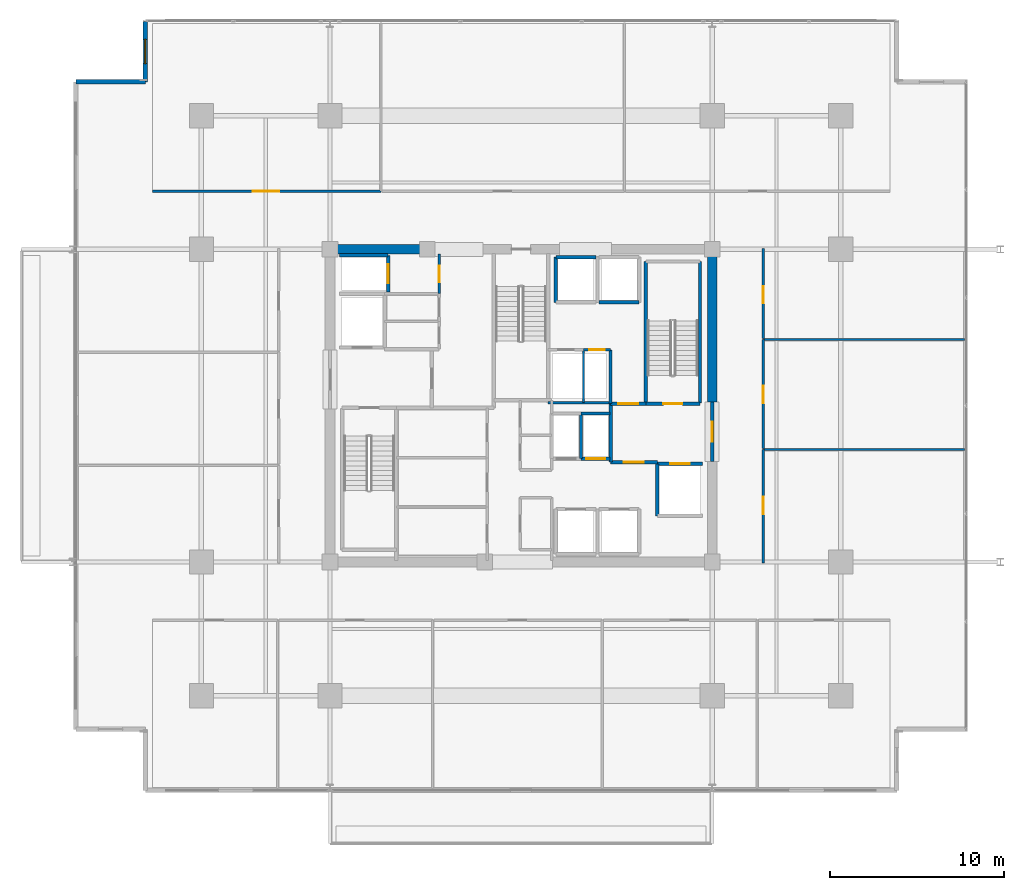
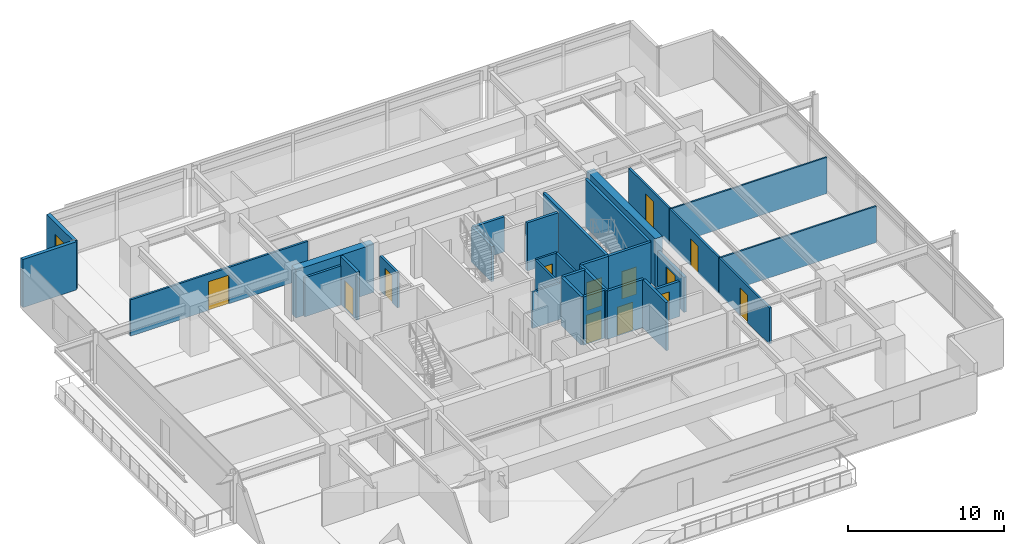
# One storey, part 17 of 23: 32 walls, 13 doors, 1 window, 14 openings.
"""IFC4 building model written with IfcOpenShell, lengths in metres."""

from ifc_helpers import new_model, si_unit, direction, frame, frame_2d, origin, place, context, subcontext, project, spatial, rectangle, extrude, material, layer, layer_set, type_object, element, fill, save


model = new_model("IFC4")

# Units and contexts
model_context = context("Model", 3, precision=1e-05, world=origin(), true_north=direction((0.0, 1.0)))
body_context = subcontext(model_context, "Body", "Model", "MODEL_VIEW")
ifc_project = project(units=[si_unit("LENGTHUNIT", "METRE"), si_unit("AREAUNIT", "SQUARE_METRE"), si_unit("VOLUMEUNIT", "CUBIC_METRE"), si_unit("PLANEANGLEUNIT", "RADIAN"), si_unit("MASSUNIT", "GRAM", prefix="KILO")], contexts=[model_context])

# Site, building, storey
site_placement = place(None, origin())
site = spatial("IfcSite", under=ifc_project, at=site_placement, CompositionType="ELEMENT")
building_placement = place(site_placement, origin())
building = spatial("IfcBuilding", under=site, at=building_placement, Name="Kovane Verandah Tower", CompositionType="ELEMENT")
storey_placement = place(building_placement, frame((0.0, 0.0, 221.199951171875)))
storey = spatial("IfcBuildingStorey", under=building, at=storey_placement, Name="L51", CompositionType="ELEMENT", Elevation=221.199951171875)

# Wall, opening, door
ifc_material_1 = material(Name="Fire-Rated Gypsum Stud Partition", Category="gypsum")
ifc_layer_1 = layer(ifc_material_1, 0.14990234375)
ifc_layer_set_1 = layer_set([ifc_layer_1], Name="Fire-Rated Gypsum Stud Partition")
wall_type_1 = type_object("IfcWallType", Name="WL-COR-150", PredefinedType="PARTITIONING", material=ifc_layer_set_1)
wall_1_placement = place(storey_placement, frame((35.280029296875, 33.949951171875, 0.0), z_axis=(0.0, 0.0, 1.0), x_axis=(0.0, 1.0, 0.0)))
wall_1 = element("IfcWall", 1, at=wall_1_placement, inside=storey, type_object=wall_type_1, Name="L51 Goods Lift Lobby East Fire Partition", PredefinedType="PARTITIONING", context=body_context, shape_type="SweptSolid", body=[
    extrude(rectangle(XDim=2.27001953125, YDim=0.14990234375, at=frame_2d((1.135009765625, 0.0))), origin(), (0.0, 0.0, 1.0), 2.755126953125),
])
opening_1_placement = place(wall_1_placement, frame((0.659912109375, 0.0, 0.0)))
opening_1 = element("IfcOpeningElement", 2, at=opening_1_placement, cuts=wall_1, Name="Opening DR-L51-008", PredefinedType="OPENING", context=body_context, shape_type="SweptSolid", body=[
    extrude(rectangle(XDim=0.949951171875, YDim=2.14990234375, at=frame_2d((0.47509765625, 1.074951171875))), frame((0.0, 0.074951171875, 0.0), z_axis=(0.0, -1.0, 0.0), x_axis=(1.0, 0.0, 0.0)), (0.0, 0.0, 1.0), 0.14990234375),
])
ifc_material_2 = material(Name="Fire-Rated Steel Refuge and Lobby Door", Category="steel")
door_type_1 = type_object("IfcDoorType", Name="DR-FIRE-950", OperationType="SINGLE_SWING_LEFT", PredefinedType="DOOR", material=ifc_material_2)
door_1_placement = place(opening_1_placement, origin())
door_1 = element("IfcDoor", 3, at=door_1_placement, inside=storey, type_object=door_type_1, Name="L51 Goods Lift Lobby Fire Door", OperationType="SINGLE_SWING_LEFT", OverallHeight=2.14990234375, OverallWidth=0.949951171875, PredefinedType="DOOR", context=body_context, shape_type="SweptSolid", body=[
    extrude(rectangle(XDim=0.949951171875, YDim=2.14990234375, at=frame_2d((0.47509765625, 1.074951171875))), frame((0.0, 0.02490234375, 0.0), z_axis=(0.0, -1.0, 0.0), x_axis=(1.0, 0.0, 0.0)), (0.0, 0.0, 1.0), 0.050048828125),
])
fill(opening_1, door_1)

# Walls
wall_2_placement = place(storey_placement, frame((41.56005859375, 27.679931640625, 0.0), z_axis=(0.0, 0.0, 1.0), x_axis=(1.0, 0.0, 0.0)))
element("IfcWall", 4, at=wall_2_placement, inside=storey, type_object=wall_type_1, Name="L51 East Core Service Riser South Wall", PredefinedType="PARTITIONING", context=body_context, shape_type="SweptSolid", body=[
    extrude(rectangle(XDim=3.58984375, YDim=0.14990234375, at=frame_2d((1.794921875, 0.0))), origin(), (0.0, 0.0, 1.0), 2.85009765625),
])
wall_3_placement = place(storey_placement, frame((45.14990234375, 27.6201171875, 0.0), z_axis=(0.0, 0.0, 1.0), x_axis=(0.0, 1.0, 0.0)))
element("IfcWall", 5, at=wall_3_placement, inside=storey, type_object=wall_type_1, Name="L51 East Core Service Riser East Wall", PredefinedType="PARTITIONING", context=body_context, shape_type="SweptSolid", body=[
    extrude(rectangle(XDim=3.099853515625, YDim=0.14990234375, at=frame_2d((1.5498046875, 0.0))), origin(), (0.0, 0.0, 1.0), 2.85009765625),
])

# Wall, opening, door
wall_4_placement = place(storey_placement, frame((43.60009765625, 30.719970703125, 0.0), z_axis=(0.0, 0.0, 1.0), x_axis=(1.0, 0.0, 0.0)))
wall_4 = element("IfcWall", 6, at=wall_4_placement, inside=storey, type_object=wall_type_1, Name="L51 Sprinkler Wet Riser Room Partition", PredefinedType="PARTITIONING", context=body_context, shape_type="SweptSolid", body=[
    extrude(rectangle(XDim=1.5498046875, YDim=0.14990234375, at=frame_2d((0.77490234375, 0.0))), origin(), (0.0, 0.0, 1.0), 2.85009765625),
])
opening_2_placement = place(wall_4_placement, frame((0.3349609375, 0.0, 0.0)))
opening_2 = element("IfcOpeningElement", 7, at=opening_2_placement, cuts=wall_4, Name="Opening DR-L51-020", PredefinedType="OPENING", context=body_context, shape_type="SweptSolid", body=[
    extrude(rectangle(XDim=0.8798828125, YDim=2.10009765625, at=frame_2d((0.43994140625, 1.050048828125))), frame((0.0, 0.074951171875, 0.0), z_axis=(0.0, -1.0, 0.0), x_axis=(1.0, 0.0, 0.0)), (0.0, 0.0, 1.0), 0.14990234375),
])
ifc_material_3 = material(Name="Fire-Rated Steel Riser Access Door", Category="steel")
door_type_2 = type_object("IfcDoorType", Name="DR-RISER-880", OperationType="SINGLE_SWING_LEFT", PredefinedType="DOOR", material=ifc_material_3)
door_2_placement = place(opening_2_placement, origin())
door_2 = element("IfcDoor", 8, at=door_2_placement, inside=storey, type_object=door_type_2, Name="L51 Sprinkler Wet Riser Room Door", OperationType="SINGLE_SWING_RIGHT", OverallHeight=2.10009765625, OverallWidth=0.8798828125, PredefinedType="DOOR", context=body_context, shape_type="SweptSolid", body=[
    extrude(rectangle(XDim=0.8798828125, YDim=2.10009765625, at=frame_2d((0.43994140625, 1.050048828125))), frame((0.0, 0.02490234375, 0.0), z_axis=(0.0, -1.0, 0.0), x_axis=(1.0, 0.0, 0.0)), (0.0, 0.0, 1.0), 0.050048828125),
])
fill(opening_2, door_2)

wall_5_placement = place(storey_placement, frame((18.768798828125, 39.85009765625, 0.0), z_axis=(0.0, 0.0, 1.0), x_axis=(1.0, 0.0, 0.0)))
wall_5 = element("IfcWall", 9, at=wall_5_placement, inside=storey, type_object=wall_type_1, Name="L51 Client Boardroom N1 Corridor Partition", PredefinedType="PARTITIONING", context=body_context, shape_type="SweptSolid", body=[
    extrude(rectangle(XDim=13.163330078125, YDim=0.14990234375, at=frame_2d((6.58154296875, 0.0))), origin(), (0.0, 0.0, 1.0), 2.85009765625),
])
opening_3_placement = place(wall_5_placement, frame((5.796630859375, 0.0, 0.0)))
opening_3 = element("IfcOpeningElement", 10, at=opening_3_placement, cuts=wall_5, Name="Opening DR-L51-021", PredefinedType="OPENING", context=body_context, shape_type="SweptSolid", body=[
    extrude(rectangle(XDim=1.5, YDim=2.25, at=frame_2d((0.75, 1.125))), frame((0.0, 0.074951171875, 0.0), z_axis=(0.0, -1.0, 0.0), x_axis=(1.0, 0.0, 0.0)), (0.0, 0.0, 1.0), 0.14990234375),
])
ifc_material_4 = material(Name="Glazed Timber Fire-Rated Double Door", Category="wood")
door_type_3 = type_object("IfcDoorType", Name="DR-CONF-1500", OperationType="DOUBLE_DOOR_SINGLE_SWING", PredefinedType="DOOR", material=ifc_material_4)
door_3_placement = place(opening_3_placement, origin())
door_3 = element("IfcDoor", 11, at=door_3_placement, inside=storey, type_object=door_type_3, Name="L51 Client Boardroom N1 Entrance Door", OperationType="DOUBLE_DOOR_SINGLE_SWING", OverallHeight=2.25, OverallWidth=1.5, PredefinedType="DOOR", context=body_context, shape_type="SweptSolid", body=[
    extrude(rectangle(XDim=1.5, YDim=2.25, at=frame_2d((0.75, 1.125))), frame((0.0, 0.02490234375, 0.0), z_axis=(0.0, -1.0, 0.0), x_axis=(1.0, 0.0, 0.0)), (0.0, 0.0, 1.0), 0.050048828125),
])
fill(opening_3, door_3)

wall_6_placement = place(storey_placement, frame((53.949951171875, 18.449951171875, 0.0), z_axis=(0.0, 0.0, 1.0), x_axis=(0.0, 1.0, 0.0)))
wall_6 = element("IfcWall", 12, at=wall_6_placement, inside=storey, type_object=wall_type_1, Name="L51 Breakout Pantry E1 Corridor Partition", PredefinedType="PARTITIONING", context=body_context, shape_type="SweptSolid", body=[
    extrude(rectangle(XDim=6.51611328125, YDim=0.14990234375, at=frame_2d((3.258056640625, 0.0))), origin(), (0.0, 0.0, 1.0), 2.85009765625),
])
opening_4_placement = place(wall_6_placement, frame((2.798095703125, 0.0, 0.0)))
opening_4 = element("IfcOpeningElement", 13, at=opening_4_placement, cuts=wall_6, Name="Opening DR-L51-013", PredefinedType="OPENING", context=body_context, shape_type="SweptSolid", body=[
    extrude(rectangle(XDim=1.0, YDim=2.14990234375, at=frame_2d((0.5, 1.074951171875))), frame((0.0, 0.074951171875, 0.0), z_axis=(0.0, -1.0, 0.0), x_axis=(1.0, 0.0, 0.0)), (0.0, 0.0, 1.0), 0.14990234375),
])
ifc_material_5 = material(Name="FSC Spotted-Gum Timber Fire-Rated Office Door", Category="wood")
door_type_4 = type_object("IfcDoorType", Name="DR-OFF-1000", OperationType="SINGLE_SWING_LEFT", PredefinedType="DOOR", material=ifc_material_5)
door_4_placement = place(opening_4_placement, origin())
door_4 = element("IfcDoor", 14, at=door_4_placement, inside=storey, type_object=door_type_4, Name="L51 Breakout Pantry E1 Entrance Door", OperationType="SINGLE_SWING_RIGHT", OverallHeight=2.14990234375, OverallWidth=1.0, PredefinedType="DOOR", context=body_context, shape_type="SweptSolid", body=[
    extrude(rectangle(XDim=1.0, YDim=2.14990234375, at=frame_2d((0.5, 1.074951171875))), frame((0.0, 0.02490234375, 0.0), z_axis=(0.0, -1.0, 0.0), x_axis=(1.0, 0.0, 0.0)), (0.0, 0.0, 1.0), 0.050048828125),
])
fill(opening_4, door_4)

wall_7_placement = place(storey_placement, frame((53.949951171875, 25.035888671875, 0.0), z_axis=(0.0, 0.0, 1.0), x_axis=(0.0, 1.0, 0.0)))
wall_7 = element("IfcWall", 15, at=wall_7_placement, inside=storey, type_object=wall_type_1, Name="L51 Collaboration Hub E2 Corridor Partition", PredefinedType="PARTITIONING", context=body_context, shape_type="SweptSolid", body=[
    extrude(rectangle(XDim=6.26513671875, YDim=0.14990234375, at=frame_2d((3.132568359375, 0.0))), origin(), (0.0, 0.0, 1.0), 2.85009765625),
])
opening_5_placement = place(wall_7_placement, frame((2.597412109375, 0.0, 0.0)))
opening_5 = element("IfcOpeningElement", 16, at=opening_5_placement, cuts=wall_7, Name="Opening DR-L51-014", PredefinedType="OPENING", context=body_context, shape_type="SweptSolid", body=[
    extrude(rectangle(XDim=1.0, YDim=2.14990234375, at=frame_2d((0.5, 1.074951171875))), frame((0.0, 0.074951171875, 0.0), z_axis=(0.0, -1.0, 0.0), x_axis=(1.0, 0.0, 0.0)), (0.0, 0.0, 1.0), 0.14990234375),
])
door_5_placement = place(opening_5_placement, origin())
door_5 = element("IfcDoor", 17, at=door_5_placement, inside=storey, type_object=door_type_4, Name="L51 Collaboration Hub E2 Entrance Door", OperationType="SINGLE_SWING_LEFT", OverallHeight=2.14990234375, OverallWidth=1.0, PredefinedType="DOOR", context=body_context, shape_type="SweptSolid", body=[
    extrude(rectangle(XDim=1.0, YDim=2.14990234375, at=frame_2d((0.5, 1.074951171875))), frame((0.0, 0.02490234375, 0.0), z_axis=(0.0, -1.0, 0.0), x_axis=(1.0, 0.0, 0.0)), (0.0, 0.0, 1.0), 0.050048828125),
])
fill(opening_5, door_5)

wall_8_placement = place(storey_placement, frame((53.949951171875, 31.37109375, 0.0), z_axis=(0.0, 0.0, 1.0), x_axis=(0.0, 1.0, 0.0)))
wall_8 = element("IfcWall", 18, at=wall_8_placement, inside=storey, type_object=wall_type_1, Name="L51 Document and Print Room E3 Corridor Partition", PredefinedType="PARTITIONING", context=body_context, shape_type="SweptSolid", body=[
    extrude(rectangle(XDim=5.178955078125, YDim=0.14990234375, at=frame_2d((2.58935546875, 0.0))), origin(), (0.0, 0.0, 1.0), 2.85009765625),
])
opening_6_placement = place(wall_8_placement, frame((2.014404296875, 0.0, 0.0)))
opening_6 = element("IfcOpeningElement", 19, at=opening_6_placement, cuts=wall_8, Name="Opening DR-L51-015", PredefinedType="OPENING", context=body_context, shape_type="SweptSolid", body=[
    extrude(rectangle(XDim=1.0, YDim=2.14990234375, at=frame_2d((0.5, 1.074951171875))), frame((0.0, 0.074951171875, 0.0), z_axis=(0.0, -1.0, 0.0), x_axis=(1.0, 0.0, 0.0)), (0.0, 0.0, 1.0), 0.14990234375),
])
door_6_placement = place(opening_6_placement, origin())
door_6 = element("IfcDoor", 20, at=door_6_placement, inside=storey, type_object=door_type_4, Name="L51 Document and Print Room E3 Entrance Door", OperationType="SINGLE_SWING_RIGHT", OverallHeight=2.14990234375, OverallWidth=1.0, PredefinedType="DOOR", context=body_context, shape_type="SweptSolid", body=[
    extrude(rectangle(XDim=1.0, YDim=2.14990234375, at=frame_2d((0.5, 1.074951171875))), frame((0.0, 0.02490234375, 0.0), z_axis=(0.0, -1.0, 0.0), x_axis=(1.0, 0.0, 0.0)), (0.0, 0.0, 1.0), 0.050048828125),
])
fill(opening_6, door_6)

# Walls
ifc_material_6 = material(Name="Concrete C60/75", Category="concrete")
ifc_layer_2 = layer(ifc_material_6, 0.550048828125)
ifc_layer_set_2 = layer_set([ifc_layer_2], Name="Concrete C60/75")
wall_type_2 = type_object("IfcWallType", Name="WL-CORE-550", PredefinedType="SHEAR", material=ifc_layer_set_2)
wall_9_placement = place(storey_placement, frame((29.0, 36.5, 0.0), z_axis=(0.0, 0.0, 1.0), x_axis=(1.0, 0.0, 0.0)))
element("IfcWall", 21, at=wall_9_placement, inside=storey, type_object=wall_type_2, Name="L51 Core Shear Wall CN-1", PredefinedType="SHEAR", context=body_context, shape_type="SweptSolid", body=[
    extrude(rectangle(XDim=5.800048828125, YDim=0.550048828125, at=frame_2d((2.89990234375, 0.0))), origin(), (0.0, 0.0, 1.0), 3.775146484375),
])
wall_10_placement = place(storey_placement, frame((51.0, 27.699951171875, 0.0), z_axis=(0.0, 0.0, 1.0), x_axis=(0.0, 1.0, 0.0)))
element("IfcWall", 22, at=wall_10_placement, inside=storey, type_object=wall_type_2, Name="L51 Core Shear Wall CE-2", PredefinedType="SHEAR", context=body_context, shape_type="SweptSolid", body=[
    extrude(rectangle(XDim=8.800048828125, YDim=0.550048828125, at=frame_2d((4.39990234375, 0.0))), origin(), (0.0, 0.0, 1.0), 3.775146484375),
])
ifc_material_7 = material(Name="Concrete C45/55 Fire Wall", Category="concrete")
ifc_layer_3 = layer(ifc_material_7, 0.199951171875)
ifc_layer_set_3 = layer_set([ifc_layer_3], Name="Concrete C45/55 Fire Wall")
wall_type_3 = type_object("IfcWallType", Name="WL-FFL-200", PredefinedType="PARTITIONING", material=ifc_layer_set_3)
wall_11_placement = place(storey_placement, frame((45.14990234375, 24.25, 0.0), z_axis=(0.0, 0.0, 1.0), x_axis=(0.0, 1.0, 0.0)))
element("IfcWall", 23, at=wall_11_placement, inside=storey, type_object=wall_type_3, Name="L51 East Firefighting Lobby West Fire Wall", PredefinedType="PARTITIONING", context=body_context, shape_type="SweptSolid", body=[
    extrude(rectangle(XDim=3.3701171875, YDim=0.199951171875, at=frame_2d((1.68505859375, 0.0))), origin(), (0.0, 0.0, 1.0), 3.775146484375),
])

# Wall, opening, door
wall_12_placement = place(storey_placement, frame((45.14990234375, 24.25, 0.0), z_axis=(0.0, 0.0, 1.0), x_axis=(1.0, 0.0, 0.0)))
wall_12 = element("IfcWall", 24, at=wall_12_placement, inside=storey, type_object=wall_type_3, Name="W-L51-FFLE-S", PredefinedType="PARTITIONING", context=body_context, shape_type="SweptSolid", body=[
    extrude(rectangle(XDim=2.7001953125, YDim=0.199951171875, at=frame_2d((1.35009765625, 0.0))), origin(), (0.0, 0.0, 1.0), 3.775146484375),
])
opening_7_placement = place(wall_12_placement, frame((0.77490234375, 0.0, 0.0)))
opening_7 = element("IfcOpeningElement", 25, at=opening_7_placement, cuts=wall_12, Name="Opening DR-L51-003", PredefinedType="OPENING", context=body_context, shape_type="SweptSolid", body=[
    extrude(rectangle(XDim=1.14990234375, YDim=2.199951171875, at=frame_2d((0.574951171875, 1.10009765625))), frame((0.0, 0.10009765625, 0.0), z_axis=(0.0, -1.0, 0.0), x_axis=(1.0, 0.0, 0.0)), (0.0, 0.0, 1.0), 0.199951171875),
])
ifc_material_8 = material(Name="Smoke-Sealed Firefighting Lobby Door", Category="steel")
door_type_5 = type_object("IfcDoorType", Name="DR-FFL-1150", OperationType="SINGLE_SWING_LEFT", PredefinedType="DOOR", material=ifc_material_8)
door_7_placement = place(opening_7_placement, origin())
door_7 = element("IfcDoor", 26, at=door_7_placement, inside=storey, type_object=door_type_5, Name="L51 East Firefighting Lobby Inner Door", OperationType="SINGLE_SWING_RIGHT", OverallHeight=2.199951171875, OverallWidth=1.14990234375, PredefinedType="DOOR", context=body_context, shape_type="SweptSolid", body=[
    extrude(rectangle(XDim=1.14990234375, YDim=2.199951171875, at=frame_2d((0.574951171875, 1.10009765625))), frame((0.0, 0.02490234375, 0.0), z_axis=(0.0, -1.0, 0.0), x_axis=(1.0, 0.0, 0.0)), (0.0, 0.0, 1.0), 0.050048828125),
])
fill(opening_7, door_7)

wall_13_placement = place(storey_placement, frame((45.14990234375, 27.6201171875, 0.0), z_axis=(0.0, 0.0, 1.0), x_axis=(1.0, 0.0, 0.0)))
wall_13 = element("IfcWall", 27, at=wall_13_placement, inside=storey, type_object=wall_type_3, Name="W-L51-FFLE-N", PredefinedType="PARTITIONING", context=body_context, shape_type="SweptSolid", body=[
    extrude(rectangle(XDim=2.030029296875, YDim=0.199951171875, at=frame_2d((1.01513671875, 0.0))), origin(), (0.0, 0.0, 1.0), 3.775146484375),
])
opening_8_placement = place(wall_13_placement, frame((0.43994140625, 0.0, 0.0)))
opening_8 = element("IfcOpeningElement", 28, at=opening_8_placement, cuts=wall_13, Name="Opening DR-L51-004", PredefinedType="OPENING", context=body_context, shape_type="SweptSolid", body=[
    extrude(rectangle(XDim=1.14990234375, YDim=2.199951171875, at=frame_2d((0.574951171875, 1.10009765625))), frame((0.0, 0.10009765625, 0.0), z_axis=(0.0, -1.0, 0.0), x_axis=(1.0, 0.0, 0.0)), (0.0, 0.0, 1.0), 0.199951171875),
])
door_8_placement = place(opening_8_placement, origin())
door_8 = element("IfcDoor", 29, at=door_8_placement, inside=storey, type_object=door_type_5, Name="L51 East Firefighting Lobby Shuttle Link Door", OperationType="SINGLE_SWING_LEFT", OverallHeight=2.199951171875, OverallWidth=1.14990234375, PredefinedType="DOOR", context=body_context, shape_type="SweptSolid", body=[
    extrude(rectangle(XDim=1.14990234375, YDim=2.199951171875, at=frame_2d((0.574951171875, 1.10009765625))), frame((0.0, 0.02490234375, 0.0), z_axis=(0.0, -1.0, 0.0), x_axis=(1.0, 0.0, 0.0)), (0.0, 0.0, 1.0), 0.050048828125),
])
fill(opening_8, door_8)

wall_14_placement = place(storey_placement, frame((51.0, 24.300048828125, 0.0), z_axis=(0.0, 0.0, 1.0), x_axis=(0.0, 1.0, 0.0)))
wall_14 = element("IfcWall", 30, at=wall_14_placement, inside=storey, type_object=wall_type_3, Name="W-L51-FFLE-OUT", PredefinedType="PARTITIONING", context=body_context, shape_type="SweptSolid", body=[
    extrude(rectangle(XDim=3.39990234375, YDim=0.199951171875, at=frame_2d((1.699951171875, 0.0))), origin(), (0.0, 0.0, 1.0), 2.755126953125),
])
opening_9_placement = place(wall_14_placement, frame((1.125, 0.0, 0.0)))
opening_9 = element("IfcOpeningElement", 31, at=opening_9_placement, cuts=wall_14, Name="Opening DR-L51-005", PredefinedType="OPENING", context=body_context, shape_type="SweptSolid", body=[
    extrude(rectangle(XDim=1.14990234375, YDim=2.199951171875, at=frame_2d((0.574951171875, 1.10009765625))), frame((0.0, 0.10009765625, 0.0), z_axis=(0.0, -1.0, 0.0), x_axis=(1.0, 0.0, 0.0)), (0.0, 0.0, 1.0), 0.199951171875),
])
door_9_placement = place(opening_9_placement, origin())
door_9 = element("IfcDoor", 32, at=door_9_placement, inside=storey, type_object=door_type_5, Name="L51 East Firefighting Lobby Corridor Door", OperationType="SINGLE_SWING_LEFT", OverallHeight=2.199951171875, OverallWidth=1.14990234375, PredefinedType="DOOR", context=body_context, shape_type="SweptSolid", body=[
    extrude(rectangle(XDim=1.14990234375, YDim=2.199951171875, at=frame_2d((0.574951171875, 1.10009765625))), frame((0.0, 0.02490234375, 0.0), z_axis=(0.0, -1.0, 0.0), x_axis=(1.0, 0.0, 0.0)), (0.0, 0.0, 1.0), 0.050048828125),
])
fill(opening_9, door_9)

ifc_material_9 = material(Name="Concrete C45/55 Lift Shaft Wall", Category="concrete")
ifc_layer_4 = layer(ifc_material_9, 0.199951171875)
ifc_layer_set_4 = layer_set([ifc_layer_4], Name="Concrete C45/55 Lift Shaft Wall")
wall_type_4 = type_object("IfcWallType", Name="WL-LIFT-200", PredefinedType="SOLIDWALL", material=ifc_layer_set_4)
wall_15_placement = place(storey_placement, frame((50.449951171875, 24.14990234375, 0.0), z_axis=(0.0, 0.0, 1.0), x_axis=(-1.0, 0.0, 0.0)))
wall_15 = element("IfcWall", 33, at=wall_15_placement, inside=storey, type_object=wall_type_4, Name="L51 Lift FL-02 N Shaft Wall", PredefinedType="SOLIDWALL", context=body_context, shape_type="SweptSolid", body=[
    extrude(rectangle(XDim=2.599853515625, YDim=0.199951171875, at=frame_2d((1.2998046875, 0.0))), origin(), (0.0, 0.0, 1.0), 2.755126953125),
])
opening_10_placement = place(wall_15_placement, frame((0.75, 0.0, 0.0)))
opening_10 = element("IfcOpeningElement", 34, at=opening_10_placement, cuts=wall_15, Name="Opening LD-L51-002", PredefinedType="OPENING", context=body_context, shape_type="SweptSolid", body=[
    extrude(rectangle(XDim=1.10009765625, YDim=2.199951171875, at=frame_2d((0.550048828125, 1.10009765625))), frame((0.0, 0.10009765625, 0.0), z_axis=(0.0, -1.0, 0.0), x_axis=(1.0, 0.0, 0.0)), (0.0, 0.0, 1.0), 0.199951171875),
])
ifc_material_10 = material(Name="Brushed Stainless Steel Sliding Lift Landing Door", Category="steel")
door_type_6 = type_object("IfcDoorType", Name="DR-LIFT-1100", OperationType="SLIDING_TO_RIGHT", PredefinedType="DOOR", material=ifc_material_10)
door_10_placement = place(opening_10_placement, origin())
door_10 = element("IfcDoor", 35, at=door_10_placement, inside=storey, type_object=door_type_6, Name="L51 Lift FL-02 Sliding Landing Door", OperationType="SLIDING_TO_RIGHT", OverallHeight=2.199951171875, OverallWidth=1.10009765625, PredefinedType="DOOR", context=body_context, shape_type="SweptSolid", body=[
    extrude(rectangle(XDim=1.10009765625, YDim=2.199951171875, at=frame_2d((0.550048828125, 1.10009765625))), frame((0.0, 0.02490234375, 0.0), z_axis=(0.0, -1.0, 0.0), x_axis=(1.0, 0.0, 0.0)), (0.0, 0.0, 1.0), 0.050048828125),
])
fill(opening_10, door_10)

# Walls
wall_16_placement = place(storey_placement, frame((47.85009765625, 24.14990234375, 0.0), z_axis=(0.0, 0.0, 1.0), x_axis=(0.0, -1.0, 0.0)))
element("IfcWall", 36, at=wall_16_placement, inside=storey, type_object=wall_type_4, Name="L51 Lift FL-02 W Shaft Wall", PredefinedType="SOLIDWALL", context=body_context, shape_type="SweptSolid", body=[
    extrude(rectangle(XDim=3.0, YDim=0.199951171875, at=frame_2d((1.5, 0.0))), origin(), (0.0, 0.0, 1.0), 3.775146484375),
])
wall_17_placement = place(storey_placement, frame((32.35009765625, 36.14990234375, 0.0), z_axis=(0.0, 0.0, 1.0), x_axis=(-1.0, 0.0, 0.0)))
element("IfcWall", 37, at=wall_17_placement, inside=storey, type_object=wall_type_4, Name="L51 Lift GL-01 N Shaft Wall", PredefinedType="SOLIDWALL", context=body_context, shape_type="SweptSolid", body=[
    extrude(rectangle(XDim=2.800048828125, YDim=0.199951171875, at=frame_2d((1.39990234375, 0.0))), origin(), (0.0, 0.0, 1.0), 3.06201171875),
])

# Wall, opening, door
wall_18_placement = place(storey_placement, frame((32.35009765625, 34.050048828125, 0.0), z_axis=(0.0, 0.0, 1.0), x_axis=(0.0, 1.0, 0.0)))
wall_18 = element("IfcWall", 38, at=wall_18_placement, inside=storey, type_object=wall_type_4, Name="L51 Lift GL-01 E Shaft Wall", PredefinedType="SOLIDWALL", context=body_context, shape_type="SweptSolid", body=[
    extrude(rectangle(XDim=2.099853515625, YDim=0.199951171875, at=frame_2d((1.0498046875, 0.0))), origin(), (0.0, 0.0, 1.0), 3.775146484375),
])
opening_11_placement = place(wall_18_placement, frame((0.5, 0.0, 0.0)))
opening_11 = element("IfcOpeningElement", 39, at=opening_11_placement, cuts=wall_18, Name="Opening LD-L51-003", PredefinedType="OPENING", context=body_context, shape_type="SweptSolid", body=[
    extrude(rectangle(XDim=1.10009765625, YDim=2.199951171875, at=frame_2d((0.550048828125, 1.10009765625))), frame((0.0, 0.10009765625, 0.0), z_axis=(0.0, -1.0, 0.0), x_axis=(1.0, 0.0, 0.0)), (0.0, 0.0, 1.0), 0.199951171875),
])
door_11_placement = place(opening_11_placement, origin())
door_11 = element("IfcDoor", 40, at=door_11_placement, inside=storey, type_object=door_type_6, Name="L51 Lift GL-01 Sliding Landing Door", OperationType="SLIDING_TO_RIGHT", OverallHeight=2.199951171875, OverallWidth=1.10009765625, PredefinedType="DOOR", context=body_context, shape_type="SweptSolid", body=[
    extrude(rectangle(XDim=1.10009765625, YDim=2.199951171875, at=frame_2d((0.550048828125, 1.10009765625))), frame((0.0, 0.02490234375, 0.0), z_axis=(0.0, -1.0, 0.0), x_axis=(1.0, 0.0, 0.0)), (0.0, 0.0, 1.0), 0.050048828125),
])
fill(opening_11, door_11)

# Wall
wall_19_placement = place(storey_placement, frame((43.449951171875, 24.449951171875, 0.0), z_axis=(0.0, 0.0, 1.0), x_axis=(0.0, 1.0, 0.0)))
element("IfcWall", 41, at=wall_19_placement, inside=storey, type_object=wall_type_4, Name="L51 Lift PL-M3 and PL-M4 Shared Shaft Wall", PredefinedType="SOLIDWALL", context=body_context, shape_type="SweptSolid", body=[
    extrude(rectangle(XDim=2.60009765625, YDim=0.199951171875, at=frame_2d((1.300048828125, 0.0))), origin(), (0.0, 0.0, 1.0), 3.775146484375),
])

# Wall, opening, door
wall_20_placement = place(storey_placement, frame((43.4599609375, 24.449951171875, 0.0), z_axis=(0.0, 0.0, 1.0), x_axis=(1.0, 0.0, 0.0)))
wall_20 = element("IfcWall", 42, at=wall_20_placement, inside=storey, type_object=wall_type_4, Name="L51 Lift PL-M4 S Shaft Wall", PredefinedType="SOLIDWALL", context=body_context, shape_type="SweptSolid", body=[
    extrude(rectangle(XDim=1.66015625, YDim=0.199951171875, at=frame_2d((0.830078125, 0.0))), origin(), (0.0, 0.0, 1.0), 3.775146484375),
])
opening_12_placement = place(wall_20_placement, frame((0.280029296875, 0.0, 0.0)))
opening_12 = element("IfcOpeningElement", 43, at=opening_12_placement, cuts=wall_20, Name="Opening LD-L51-007", PredefinedType="OPENING", context=body_context, shape_type="SweptSolid", body=[
    extrude(rectangle(XDim=1.10009765625, YDim=2.199951171875, at=frame_2d((0.550048828125, 1.10009765625))), frame((0.0, 0.10009765625, 0.0), z_axis=(0.0, -1.0, 0.0), x_axis=(1.0, 0.0, 0.0)), (0.0, 0.0, 1.0), 0.199951171875),
])
door_12_placement = place(opening_12_placement, origin())
door_12 = element("IfcDoor", 44, at=door_12_placement, inside=storey, type_object=door_type_6, Name="L51 Lift PL-M4 Sliding Landing Door", OperationType="SLIDING_TO_RIGHT", OverallHeight=2.199951171875, OverallWidth=1.10009765625, PredefinedType="DOOR", context=body_context, shape_type="SweptSolid", body=[
    extrude(rectangle(XDim=1.10009765625, YDim=2.199951171875, at=frame_2d((0.550048828125, 1.10009765625))), frame((0.0, 0.02490234375, 0.0), z_axis=(0.0, -1.0, 0.0), x_axis=(1.0, 0.0, 0.0)), (0.0, 0.0, 1.0), 0.050048828125),
])
fill(opening_12, door_12)

# Walls
wall_21_placement = place(storey_placement, frame((45.1201171875, 27.050048828125, 0.0), z_axis=(0.0, 0.0, 1.0), x_axis=(-1.0, 0.0, 0.0)))
element("IfcWall", 45, at=wall_21_placement, inside=storey, type_object=wall_type_4, Name="L51 Lift PL-M4 N Shaft Wall", PredefinedType="SOLIDWALL", context=body_context, shape_type="SweptSolid", body=[
    extrude(rectangle(XDim=1.66015625, YDim=0.199951171875, at=frame_2d((0.830078125, 0.0))), origin(), (0.0, 0.0, 1.0), 3.775146484375),
])
wall_22_placement = place(storey_placement, frame((44.300048828125, 36.050048828125, 0.0), z_axis=(0.0, 0.0, 1.0), x_axis=(-1.0, 0.0, 0.0)))
element("IfcWall", 46, at=wall_22_placement, inside=storey, type_object=wall_type_4, Name="L51 Lift SL-01 N Shaft Wall", PredefinedType="SOLIDWALL", context=body_context, shape_type="SweptSolid", body=[
    extrude(rectangle(XDim=2.300048828125, YDim=0.199951171875, at=frame_2d((1.14990234375, 0.0))), origin(), (0.0, 0.0, 1.0), 2.755126953125),
])
wall_23_placement = place(storey_placement, frame((42.0, 36.050048828125, 0.0), z_axis=(0.0, 0.0, 1.0), x_axis=(0.0, -1.0, 0.0)))
element("IfcWall", 47, at=wall_23_placement, inside=storey, type_object=wall_type_4, Name="L51 Lift SL-01 W Shaft Wall", PredefinedType="SOLIDWALL", context=body_context, shape_type="SweptSolid", body=[
    extrude(rectangle(XDim=2.60009765625, YDim=0.199951171875, at=frame_2d((1.300048828125, 0.0))), origin(), (0.0, 0.0, 1.0), 2.755126953125),
])
wall_24_placement = place(storey_placement, frame((44.5, 33.449951171875, 0.0), z_axis=(0.0, 0.0, 1.0), x_axis=(1.0, 0.0, 0.0)))
element("IfcWall", 48, at=wall_24_placement, inside=storey, type_object=wall_type_4, Name="L51 Lift OL-01 S Shaft Wall", PredefinedType="SOLIDWALL", context=body_context, shape_type="SweptSolid", body=[
    extrude(rectangle(XDim=2.300048828125, YDim=0.199951171875, at=frame_2d((1.14990234375, 0.0))), origin(), (0.0, 0.0, 1.0), 3.775146484375),
])
ifc_material_11 = material(Name="Acoustic Fire-Rated Gypsum Partition", Category="gypsum")
ifc_layer_5 = layer(ifc_material_11, 0.1201171875)
ifc_layer_set_5 = layer_set([ifc_layer_5], Name="Acoustic Fire-Rated Gypsum Partition")
wall_type_5 = type_object("IfcWallType", Name="WL-PART-120", PredefinedType="PARTITIONING", material=ifc_layer_set_5)
wall_25_placement = place(storey_placement, frame((43.60009765625, 27.679931640625, 0.0), z_axis=(0.0, 0.0, 1.0), x_axis=(0.0, 1.0, 0.0)))
element("IfcWall", 49, at=wall_25_placement, inside=storey, type_object=wall_type_5, Name="L51 Service Riser Dividing Partition", PredefinedType="PARTITIONING", context=body_context, shape_type="SweptSolid", body=[
    extrude(rectangle(XDim=3.0400390625, YDim=0.1201171875, at=frame_2d((1.52001953125, 0.0))), origin(), (0.0, 0.0, 1.0), 2.85009765625),
])
for number, where, z_axis, x_axis, name in (
    (50, (53.949951171875, 24.966064453125, 0.0), (0.0, 0.0, 1.0), (1.0, 0.0, 0.0), "L51 Breakout Pantry E1 Dividing Partition"),
    (51, (53.949951171875, 31.301025390625, 0.0), (0.0, 0.0, 1.0), (1.0, 0.0, 0.0), "L51 Collaboration Hub E2 Dividing Partition"),
):
    element("IfcWall", number, at=place(storey_placement, frame(where, z_axis=z_axis, x_axis=x_axis)), inside=storey, type_object=wall_type_5, Name=name, PredefinedType="PARTITIONING", context=body_context, shape_type="SweptSolid", body=[
        extrude(rectangle(XDim=11.581298828125, YDim=0.1201171875, at=frame_2d((5.79052734375, 0.0))), origin(), (0.0, 0.0, 1.0), 2.85009765625),
    ])
ifc_material_12 = material(Name="Concrete C45/55", Category="concrete")
ifc_layer_6 = layer(ifc_material_12, 0.199951171875)
ifc_layer_set_6 = layer_set([ifc_layer_6], Name="Concrete C45/55")
wall_type_6 = type_object("IfcWallType", Name="WL-SHAFT-200", PredefinedType="SOLIDWALL", material=ifc_layer_set_6)
wall_26_placement = place(storey_placement, frame((50.300048828125, 27.64990234375, 0.0), z_axis=(0.0, 0.0, 1.0), x_axis=(0.0, 1.0, 0.0)))
element("IfcWall", 52, at=wall_26_placement, inside=storey, type_object=wall_type_6, Name="W-L51-ST02-E", PredefinedType="SOLIDWALL", context=body_context, shape_type="SweptSolid", body=[
    extrude(rectangle(XDim=8.150146484375, YDim=0.199951171875, at=frame_2d((4.0751953125, 0.0))), origin(), (0.0, 0.0, 1.0), 3.775146484375),
])
wall_27_placement = place(storey_placement, frame((47.179931640625, 27.6201171875, 0.0), z_axis=(0.0, 0.0, 1.0), x_axis=(0.0, 1.0, 0.0)))
element("IfcWall", 53, at=wall_27_placement, inside=storey, type_object=wall_type_6, Name="W-L51-ST02-W", PredefinedType="SOLIDWALL", context=body_context, shape_type="SweptSolid", body=[
    extrude(rectangle(XDim=8.179931640625, YDim=0.199951171875, at=frame_2d((4.08984375, 0.0))), origin(), (0.0, 0.0, 1.0), 3.775146484375),
])

# Wall, opening, door
wall_28_placement = place(storey_placement, frame((47.179931640625, 27.6201171875, 0.0), z_axis=(0.0, 0.0, 1.0), x_axis=(1.0, 0.0, 0.0)))
wall_28 = element("IfcWall", 54, at=wall_28_placement, inside=storey, type_object=wall_type_6, Name="W-L51-ST02-S", PredefinedType="SOLIDWALL", context=body_context, shape_type="SweptSolid", body=[
    extrude(rectangle(XDim=3.1201171875, YDim=0.199951171875, at=frame_2d((1.56005859375, 0.0))), origin(), (0.0, 0.0, 1.0), 3.775146484375),
])
opening_13_placement = place(wall_28_placement, frame((1.010009765625, 0.0, 0.0)))
opening_13 = element("IfcOpeningElement", 55, at=opening_13_placement, cuts=wall_28, Name="Opening DR-L51-010", PredefinedType="OPENING", context=body_context, shape_type="SweptSolid", body=[
    extrude(rectangle(XDim=1.10009765625, YDim=2.14990234375, at=frame_2d((0.550048828125, 1.074951171875))), frame((0.0, 0.10009765625, 0.0), z_axis=(0.0, -1.0, 0.0), x_axis=(1.0, 0.0, 0.0)), (0.0, 0.0, 1.0), 0.199951171875),
])
ifc_material_13 = material(Name="Fire-Rated Steel Exit Door", Category="steel")
door_type_7 = type_object("IfcDoorType", Name="DR-STAIR-1100", OperationType="SINGLE_SWING_LEFT", PredefinedType="DOOR", material=ifc_material_13)
door_13_placement = place(opening_13_placement, origin())
door_13 = element("IfcDoor", 56, at=door_13_placement, inside=storey, type_object=door_type_7, Name="L51 ST-02 Fire Exit Stair Door", OperationType="SINGLE_SWING_RIGHT", OverallHeight=2.14990234375, OverallWidth=1.10009765625, PredefinedType="DOOR", context=body_context, shape_type="SweptSolid", body=[
    extrude(rectangle(XDim=1.10009765625, YDim=2.14990234375, at=frame_2d((0.550048828125, 1.074951171875))), frame((0.0, 0.02490234375, 0.0), z_axis=(0.0, -1.0, 0.0), x_axis=(1.0, 0.0, 0.0)), (0.0, 0.0, 1.0), 0.050048828125),
])
fill(opening_13, door_13)

# Wall, opening, window
ifc_material_14 = material(Name="Concrete C45/55 Insulated Spandrel Wall", Category="concrete")
ifc_layer_7 = layer(ifc_material_14, 0.260009765625)
ifc_layer_set_7 = layer_set([ifc_layer_7], Name="Concrete C45/55 Insulated Spandrel Wall")
wall_type_7 = type_object("IfcWallType", Name="WL-SPANDREL-260", PredefinedType="PARAPET", material=ifc_layer_set_7)
wall_29_placement = place(storey_placement, frame((18.36865234375, 49.640380859375, 0.0), z_axis=(0.0, 0.0, 1.0), x_axis=(0.0, -1.0, 0.0)))
wall_29 = element("IfcWall", 57, at=wall_29_placement, inside=storey, type_object=wall_type_7, Name="L51 NW Notch Cheek Wall 1", PredefinedType="PARAPET", context=body_context, shape_type="SweptSolid", body=[
    extrude(rectangle(XDim=3.5, YDim=0.260009765625, at=frame_2d((1.75, 0.0))), origin(), (0.0, 0.0, 1.0), 3.775146484375),
])
opening_14_placement = place(wall_29_placement, frame((1.050048828125, 0.0, 0.85009765625)))
opening_14 = element("IfcOpeningElement", 58, at=opening_14_placement, cuts=wall_29, Name="Opening W-01", PredefinedType="OPENING", context=body_context, shape_type="SweptSolid", body=[
    extrude(rectangle(XDim=1.39990234375, YDim=2.0, at=frame_2d((0.699951171875, 1.0))), frame((0.0, 0.1298828125, 0.0), z_axis=(0.0, -1.0, 0.0), x_axis=(1.0, 0.0, 0.0)), (0.0, 0.0, 1.0), 0.260009765625),
])
ifc_material_15 = material(Name="Clear Low-E Laminated Double Glazing in Anodised Frame", Category="glass")
window_type = type_object("IfcWindowType", Name="WN-OPER-1400x2000", PartitioningType="SINGLE_PANEL", PredefinedType="WINDOW", material=ifc_material_15)
window_placement = place(opening_14_placement, origin())
window = element("IfcWindow", 59, at=window_placement, inside=storey, type_object=window_type, Name="L51 NW Re-Entrant Corner Operable Window", OverallHeight=2.0, OverallWidth=1.39990234375, PartitioningType="SINGLE_PANEL", PredefinedType="WINDOW", context=body_context, shape_type="SweptSolid", body=[
    extrude(rectangle(XDim=1.39990234375, YDim=2.0, at=frame_2d((0.699951171875, 1.0))), frame((0.0, 0.030029296875, 0.0), z_axis=(0.0, -1.0, 0.0), x_axis=(1.0, 0.0, 0.0)), (0.0, 0.0, 1.0), 0.06005859375),
])
fill(opening_14, window)

# Wall
wall_30_placement = place(storey_placement, frame((18.36865234375, 46.140380859375, 0.0), z_axis=(0.0, 0.0, 1.0), x_axis=(-1.0, 0.0, 0.0)))
element("IfcWall", 60, at=wall_30_placement, inside=storey, type_object=wall_type_7, Name="L51 NW Notch Cheek Wall 2", PredefinedType="PARAPET", context=body_context, shape_type="SweptSolid", body=[
    extrude(rectangle(XDim=4.0, YDim=0.260009765625, at=frame_2d((2.0, 0.0))), origin(), (0.0, 0.0, 1.0), 3.775146484375),
])

save(model, "model.ifc")
